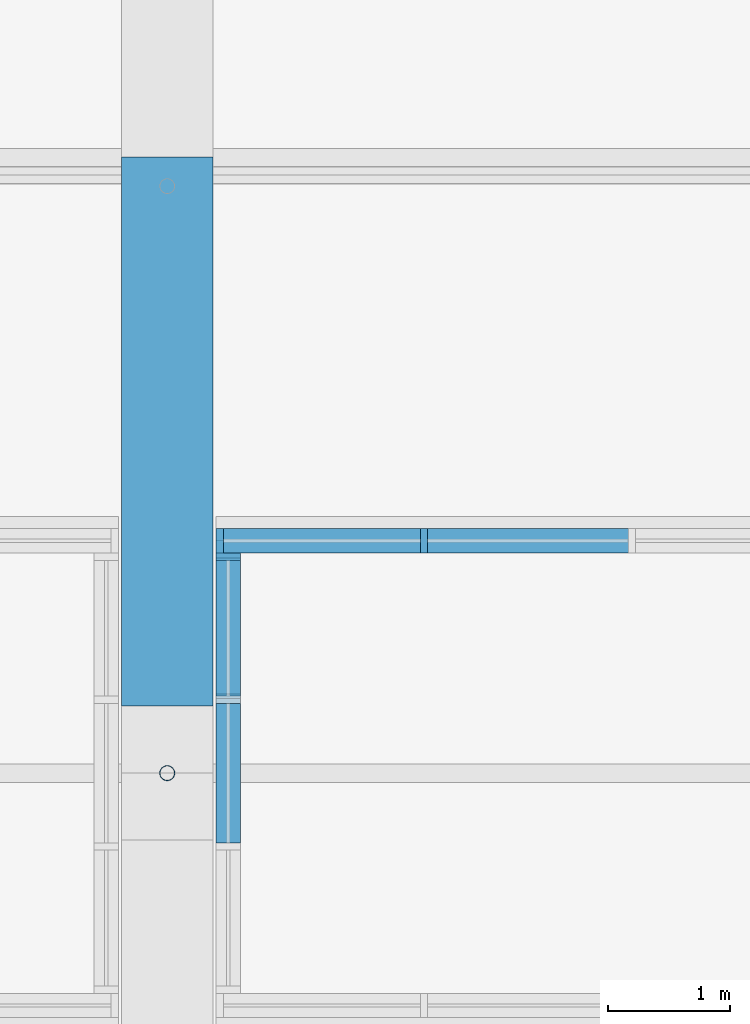
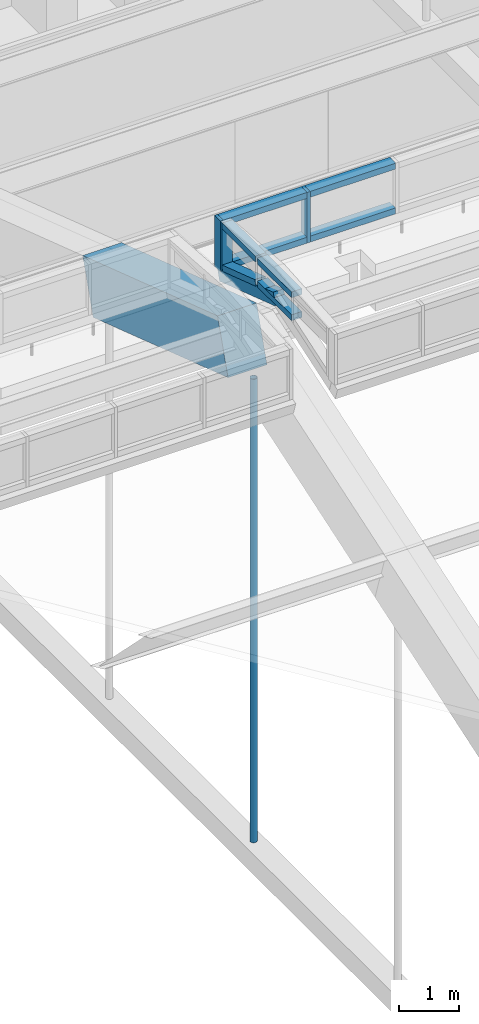
# One storey, part 54 of 149: 13 members, 1 beam, 2 elements without a shape of their own.
"""IFC4 building model written with IfcOpenShell, lengths in metres."""

from ifc_helpers import new_model, si_unit, direction, frame, origin, origin_2d, place, context, subcontext, project, spatial, rectangle, hollow_circle, extrude, material, material_profile, profile_set, type_object, element, aggregate, save


model = new_model("IFC4")

# Units and contexts
model_context = context("Model", 3, precision=1e-05, world=origin(), true_north=direction((0.0, 1.0)))
body_context = subcontext(model_context, "Body", "Model", "MODEL_VIEW")
ifc_project = project(units=[si_unit("LENGTHUNIT", "METRE"), si_unit("AREAUNIT", "SQUARE_METRE"), si_unit("VOLUMEUNIT", "CUBIC_METRE"), si_unit("PLANEANGLEUNIT", "RADIAN"), si_unit("MASSUNIT", "GRAM", prefix="KILO")], contexts=[model_context])

# Site, building, storey
site_placement = place(None, origin())
site = spatial("IfcSite", under=ifc_project, at=site_placement, CompositionType="ELEMENT")
building_placement = place(site_placement, origin())
building = spatial("IfcBuilding", under=site, at=building_placement, Name="Alderwick Market Hall", CompositionType="ELEMENT")
storey_placement = place(building_placement, frame((0.0, 0.0, 9.60009765625)))
storey = spatial("IfcBuildingStorey", under=building, at=storey_placement, Name="L01", CompositionType="ELEMENT", Elevation=9.60009765625)

# Beam
ifc_material_1 = material(Name="Concrete 5000 psi (f'c 35 MPa)", Category="concrete")
ifc_material_profile_1 = material_profile(ifc_material_1, rectangle(XDim=0.75, YDim=1.10009765625, at=origin_2d()), Name="RC 750x1100")
ifc_profile_set_1 = profile_set([ifc_material_profile_1], Name="Concrete 5000 psi (f'c 35 MPa)")
beam_type = type_object("IfcBeamType", Name="R Arch Rib Crown 750x1100", PredefinedType="BEAM", material=ifc_profile_set_1)
beam_placement = place(storey_placement, frame((93.60009765625, 79.573974609375, 16.2861328125), z_axis=(0.0, 0.948672979153, -0.316258721025), x_axis=(-1.0, 0.0, 0.0)))
element("IfcBeam", 1, at=beam_placement, inside=storey, type_object=beam_type, Name="Arch rib 4 chord 7", PredefinedType="BEAM", context=body_context, shape_type="SweptSolid", body=[
    extrude(rectangle(XDim=0.75, YDim=1.10009765625, at=origin_2d()), origin(), (0.0, 0.0, 1.0), 4.732177734375),
])

# Curtain wall, members
ifc_material_2 = material(Name="Aluminium", Category="aluminium")
curtain_wall_type = type_object("IfcCurtainWallType", Name="R Curtain Wall Frame", PredefinedType="NOTDEFINED", material=ifc_material_2)
curtain_wall_1_placement = place(storey_placement, origin())
curtain_wall_1 = element("IfcCurtainWall", 2, at=curtain_wall_1_placement, inside=storey, type_object=curtain_wall_type, Name="Curtain wall LCW N4", PredefinedType="NOTDEFINED")
ifc_material_profile_2 = material_profile(ifc_material_2, rectangle(XDim=0.199951171875, YDim=0.06005859375, at=origin_2d()), Name="AL 60x200")
ifc_profile_set_2 = profile_set([ifc_material_profile_2], Name="Aluminium")
member_type_1 = type_object("IfcMemberType", Name="R CW Mullion 60x200", PredefinedType="MULLION", material=ifc_profile_set_2)
member_1_placement = place(storey_placement, frame((94.030029296875, 81.10009765625, 16.670166015625), z_axis=(0.0, 0.0, 1.0), x_axis=(0.0, 1.0, 0.0)))
member_1 = element("IfcMember", 3, at=member_1_placement, type_object=member_type_1, Name="LCW N4 mullion 1", PredefinedType="MULLION", context=body_context, shape_type="SweptSolid", body=[
    extrude(rectangle(XDim=0.199951171875, YDim=0.06005859375, at=origin_2d()), origin(), (0.0, 0.0, 1.0), 1.02978515625),
])
member_2_placement = place(storey_placement, frame((95.699951171875, 81.10009765625, 16.670166015625), z_axis=(0.0, 0.0, 1.0), x_axis=(0.0, 1.0, 0.0)))
member_2 = element("IfcMember", 4, at=member_2_placement, type_object=member_type_1, Name="LCW N4 mullion 2", PredefinedType="MULLION", context=body_context, shape_type="SweptSolid", body=[
    extrude(rectangle(XDim=0.199951171875, YDim=0.06005859375, at=origin_2d()), origin(), (0.0, 0.0, 1.0), 1.02978515625),
])

# Curtain wall, member
curtain_wall_2_placement = place(storey_placement, origin())
curtain_wall_2 = element("IfcCurtainWall", 5, at=curtain_wall_2_placement, inside=storey, type_object=curtain_wall_type, Name="Curtain wall LCW W4", PredefinedType="NOTDEFINED")
member_3_placement = place(storey_placement, frame((94.10009765625, 80.969970703125, 16.713623046875), z_axis=(0.0, 0.0, 1.0), x_axis=(1.0, 0.0, 0.0)))
member_3 = element("IfcMember", 6, at=member_3_placement, type_object=member_type_1, Name="LCW W4 mullion 4", PredefinedType="MULLION", context=body_context, shape_type="SweptSolid", body=[
    extrude(rectangle(XDim=0.199951171875, YDim=0.06005859375, at=origin_2d()), origin(), (0.0, 0.0, 1.0), 0.986328125),
])

# Member
ifc_material_profile_3 = material_profile(ifc_material_2, rectangle(XDim=0.199951171875, YDim=0.1201171875, at=origin_2d()), Name="AL 120x200")
ifc_profile_set_3 = profile_set([ifc_material_profile_3], Name="Aluminium")
member_type_2 = type_object("IfcMemberType", Name="R CW Transom 120x200", PredefinedType="USERDEFINED", material=ifc_profile_set_3)
member_4_placement = place(storey_placement, frame((94.06005859375, 81.10009765625, 16.730224609375), z_axis=(1.0, 0.0, 0.0), x_axis=(0.0, 1.0, 0.0)))
member_4 = element("IfcMember", 7, at=member_4_placement, type_object=member_type_2, Name="LCW N4 sill transom 1", ObjectType="TRANSOM", PredefinedType="USERDEFINED", context=body_context, shape_type="SweptSolid", body=[
    extrude(rectangle(XDim=0.199951171875, YDim=0.1201171875, at=origin_2d()), origin(), (0.0, 0.0, 1.0), 1.60986328125),
])

member_5_placement = place(storey_placement, frame((94.06005859375, 81.10009765625, 17.639892578125), z_axis=(1.0, 0.0, 0.0), x_axis=(0.0, 1.0, 0.0)))
member_5 = element("IfcMember", 8, at=member_5_placement, type_object=member_type_2, Name="LCW N4 head transom 1", ObjectType="TRANSOM", PredefinedType="USERDEFINED", context=body_context, shape_type="SweptSolid", body=[
    extrude(rectangle(XDim=0.199951171875, YDim=0.1201171875, at=origin_2d()), origin(), (0.0, 0.0, 1.0), 1.60986328125),
])

member_6_placement = place(storey_placement, frame((95.72998046875, 81.10009765625, 16.730224609375), z_axis=(1.0, 0.0, 0.0), x_axis=(0.0, 1.0, 0.0)))
member_6 = element("IfcMember", 9, at=member_6_placement, type_object=member_type_2, Name="LCW N4 sill transom 2", ObjectType="TRANSOM", PredefinedType="USERDEFINED", context=body_context, shape_type="SweptSolid", body=[
    extrude(rectangle(XDim=0.199951171875, YDim=0.1201171875, at=origin_2d()), origin(), (0.0, 0.0, 1.0), 1.64013671875),
])

member_7_placement = place(storey_placement, frame((95.72998046875, 81.10009765625, 17.639892578125), z_axis=(1.0, 0.0, 0.0), x_axis=(0.0, 1.0, 0.0)))
member_7 = element("IfcMember", 10, at=member_7_placement, type_object=member_type_2, Name="LCW N4 head transom 2", ObjectType="TRANSOM", PredefinedType="USERDEFINED", context=body_context, shape_type="SweptSolid", body=[
    extrude(rectangle(XDim=0.199951171875, YDim=0.1201171875, at=origin_2d()), origin(), (0.0, 0.0, 1.0), 1.64013671875),
])

aggregate(curtain_wall_1, [member_1, member_2, member_4, member_5, member_6, member_7])

member_8_placement = place(storey_placement, frame((94.10009765625, 78.6298828125, 17.173583984375), z_axis=(0.0, 1.0, 0.0), x_axis=(-1.0, 0.0, 0.0)))
member_8 = element("IfcMember", 11, at=member_8_placement, type_object=member_type_2, Name="LCW W4 sill transom 2", ObjectType="TRANSOM", PredefinedType="USERDEFINED", context=body_context, shape_type="SweptSolid", body=[
    extrude(rectangle(XDim=0.199951171875, YDim=0.1201171875, at=origin_2d()), origin(), (0.0, 0.0, 1.0), 1.14013671875),
])

member_9_placement = place(storey_placement, frame((94.10009765625, 78.6298828125, 17.639892578125), z_axis=(0.0, 1.0, 0.0), x_axis=(-1.0, 0.0, 0.0)))
member_9 = element("IfcMember", 12, at=member_9_placement, type_object=member_type_2, Name="LCW W4 head transom 2", ObjectType="TRANSOM", PredefinedType="USERDEFINED", context=body_context, shape_type="SweptSolid", body=[
    extrude(rectangle(XDim=0.199951171875, YDim=0.1201171875, at=origin_2d()), origin(), (0.0, 0.0, 1.0), 1.14013671875),
])

member_10_placement = place(storey_placement, frame((94.10009765625, 79.830078125, 17.153564453125), z_axis=(0.0, 0.948641554568, -0.316352968923), x_axis=(-1.0, 0.0, 0.0)))
member_10 = element("IfcMember", 13, at=member_10_placement, type_object=member_type_2, Name="LCW W4 sill transom 3", ObjectType="TRANSOM", PredefinedType="USERDEFINED", context=body_context, shape_type="SweptSolid", body=[
    extrude(rectangle(XDim=0.199951171875, YDim=0.1201171875, at=origin_2d()), origin(), (0.0, 0.0, 1.0), 1.169921875),
])

member_11_placement = place(storey_placement, frame((94.10009765625, 79.830078125, 17.639892578125), z_axis=(0.0, 1.0, 0.0), x_axis=(-1.0, 0.0, 0.0)))
member_11 = element("IfcMember", 14, at=member_11_placement, type_object=member_type_2, Name="LCW W4 head transom 3", ObjectType="TRANSOM", PredefinedType="USERDEFINED", context=body_context, shape_type="SweptSolid", body=[
    extrude(rectangle(XDim=0.199951171875, YDim=0.1201171875, at=origin_2d()), origin(), (0.0, 0.0, 1.0), 1.10986328125),
])

ifc_material_3 = material(Name="Steel ASTM A500 Grade C", Category="steel")
ifc_material_profile_4 = material_profile(ifc_material_3, hollow_circle(Radius=0.0634765625, WallThickness=0.005859375, at=origin_2d()), Name="HSS5.000x0.250")
ifc_profile_set_4 = profile_set([ifc_material_profile_4], Name="Steel ASTM A500 Grade C")
member_type_3 = type_object("IfcMemberType", Name="R Hanger HSS5.000x0.250", PredefinedType="POST", material=ifc_profile_set_4)
member_12_placement = place(storey_placement, frame((93.60009765625, 79.199951171875, 6.35302734375), z_axis=(0.0, 0.0, 1.0), x_axis=(1.0, 0.0, 0.0)))
element("IfcMember", 15, at=member_12_placement, inside=storey, type_object=member_type_3, Name="Arch hanger 4.6", PredefinedType="POST", context=body_context, shape_type="SweptSolid", body=[
    extrude(hollow_circle(Radius=0.0634765625, WallThickness=0.005859375, at=origin_2d()), origin(), (0.0, 0.0, 1.0), 9.411376953125),
])

ifc_material_4 = material(Name="Steel ASTM A572 Grade 50", Category="steel")
ifc_material_profile_5 = material_profile(ifc_material_4, rectangle(XDim=0.199951171875, YDim=0.25, at=origin_2d()), Name="Steel plate curb 200x250")
ifc_profile_set_5 = profile_set([ifc_material_profile_5], Name="Steel ASTM A572 Grade 50")
member_type_4 = type_object("IfcMemberType", Name="R Lantern Curb 200x250", PredefinedType="MEMBER", material=ifc_profile_set_5)
member_13_placement = place(storey_placement, frame((94.10009765625, 79.199951171875, 17.20654296875), z_axis=(0.0, 0.948695716428, -0.316190508447), x_axis=(-1.0, 0.0, 0.0)))
member_13 = element("IfcMember", 16, at=member_13_placement, type_object=member_type_4, Name="Lantern end curb W4.2", PredefinedType="MEMBER", context=body_context, shape_type="SweptSolid", body=[
    extrude(rectangle(XDim=0.199951171875, YDim=0.25, at=origin_2d()), origin(), (0.0, 0.0, 1.0), 1.9658203125),
])

aggregate(curtain_wall_2, [member_3, member_8, member_9, member_10, member_11, member_13])

save(model, "model.ifc")
